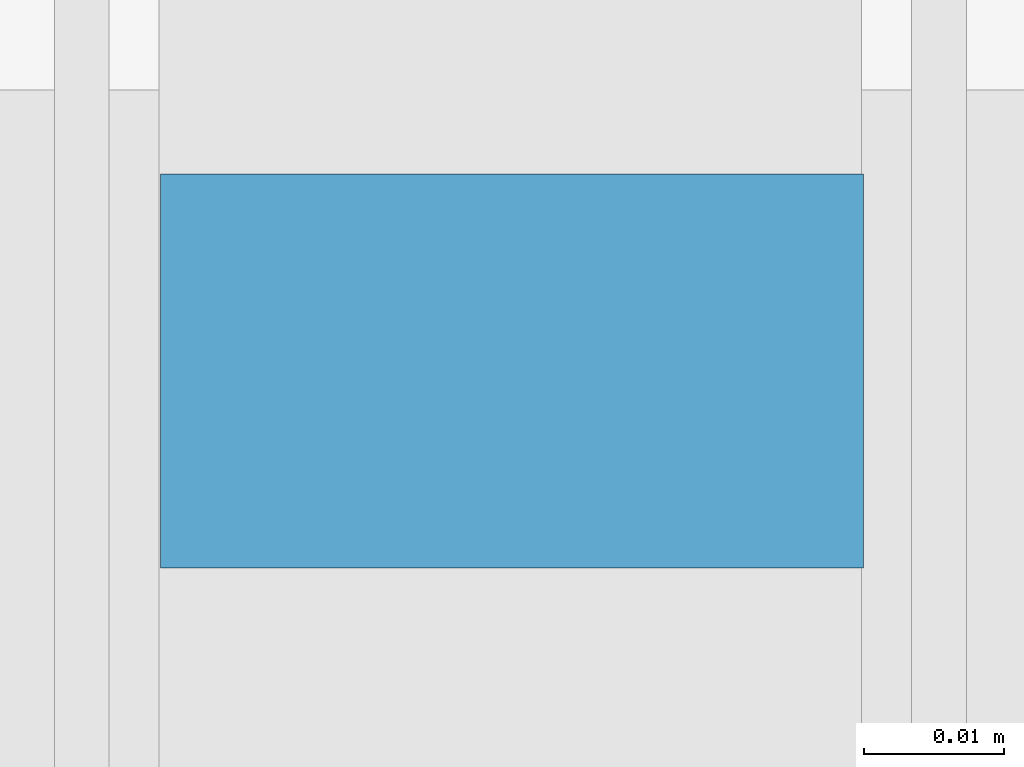
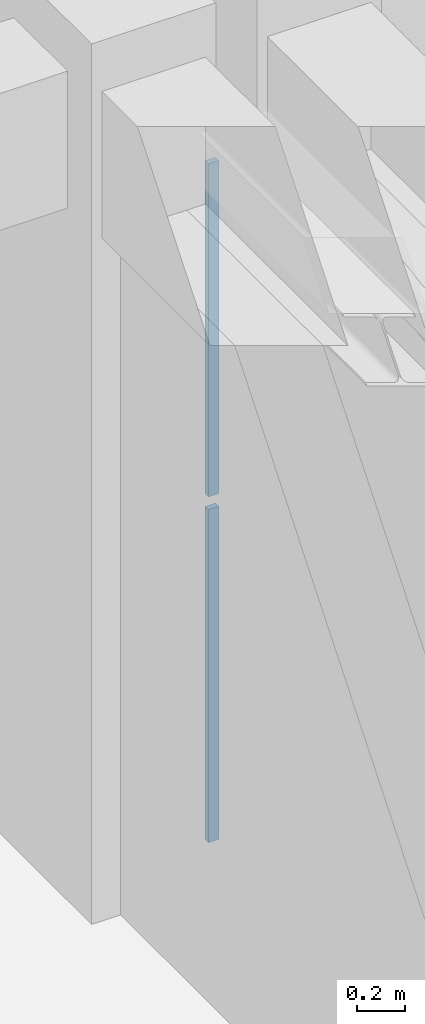
# One storey, part 91 of 129: 2 plates, 1 element without a shape of its own.
"""IFC4 building model written with IfcOpenShell, lengths in metres."""

from ifc_helpers import new_model, si_unit, direction, frame, origin, origin_2d, place, context, subcontext, project, spatial, rectangle, extrude, material, layer, layer_set, type_object, element, aggregate, save


model = new_model("IFC4")

# Units and contexts
model_context = context("Model", 3, precision=1e-05, world=origin(), true_north=direction((0.0, 1.0)))
body_context = subcontext(model_context, "Body", "Model", "MODEL_VIEW")
ifc_project = project(units=[si_unit("LENGTHUNIT", "METRE"), si_unit("AREAUNIT", "SQUARE_METRE"), si_unit("VOLUMEUNIT", "CUBIC_METRE"), si_unit("PLANEANGLEUNIT", "RADIAN"), si_unit("MASSUNIT", "GRAM", prefix="KILO")], contexts=[model_context])

# Site, building, storey
site_placement = place(None, origin())
site = spatial("IfcSite", under=ifc_project, at=site_placement, CompositionType="ELEMENT")
building_placement = place(site_placement, origin())
building = spatial("IfcBuilding", under=site, at=building_placement, Name="Xazarin Passage Department Store", CompositionType="ELEMENT")
storey_placement = place(building_placement, frame((0.0, 0.0, 9.89990234375)))
storey = spatial("IfcBuildingStorey", under=building, at=storey_placement, Name="L02", CompositionType="ELEMENT", Elevation=9.89990234375)

# Curtain wall, plates
ifc_material_1 = material(Name="Bronze anodised aluminium", Category="aluminium")
ifc_layer_1 = layer(ifc_material_1, 0.14990234375)
ifc_layer_set_1 = layer_set([ifc_layer_1], Name="Bronze anodised aluminium")
curtain_wall_type = type_object("IfcCurtainWallType", Name="ARC-CW-BRG1", PredefinedType="NOTDEFINED", material=ifc_layer_set_1)
curtain_wall_placement = place(storey_placement, origin())
curtain_wall = element("IfcCurtainWall", 1, at=curtain_wall_placement, inside=storey, type_object=curtain_wall_type, Name="L02 BR-V2S-V3 Bridge Curtain Wall 2", PredefinedType="NOTDEFINED")
ifc_material_2 = material(Name="Low-E laminated safety glass", Category="glass")
ifc_layer_2 = layer(ifc_material_2, 0.028076171875)
ifc_layer_set_2 = layer_set([ifc_layer_2], Name="Low-E laminated safety glass")
plate_type = type_object("IfcPlateType", Name="ARC-CWP-GLZ28", PredefinedType="CURTAIN_PANEL", material=ifc_layer_set_2)
plate_1_placement = place(storey_placement, frame((67.60009765625, 33.3798828125, 0.06494140625), z_axis=(0.0, 0.0, 1.0), x_axis=(1.0, 0.0, 0.0)))
plate_1 = element("IfcPlate", 2, at=plate_1_placement, type_object=plate_type, Name="CW7 panel 1.1", PredefinedType="CURTAIN_PANEL", context=body_context, shape_type="SweptSolid", body=[
    extrude(rectangle(XDim=0.050048828125, YDim=0.028076171875, at=origin_2d()), origin(), (0.0, 0.0, 1.0), 1.702392578125),
])
plate_2_placement = place(storey_placement, frame((67.60009765625, 33.3798828125, 1.83251953125), z_axis=(0.0, 0.0, 1.0), x_axis=(1.0, 0.0, 0.0)))
plate_2 = element("IfcPlate", 3, at=plate_2_placement, type_object=plate_type, Name="CW7 panel 1.2", PredefinedType="CURTAIN_PANEL", context=body_context, shape_type="SweptSolid", body=[
    extrude(rectangle(XDim=0.050048828125, YDim=0.028076171875, at=origin_2d()), origin(), (0.0, 0.0, 1.0), 1.702392578125),
])
aggregate(curtain_wall, [plate_1, plate_2])

save(model, "model.ifc")
